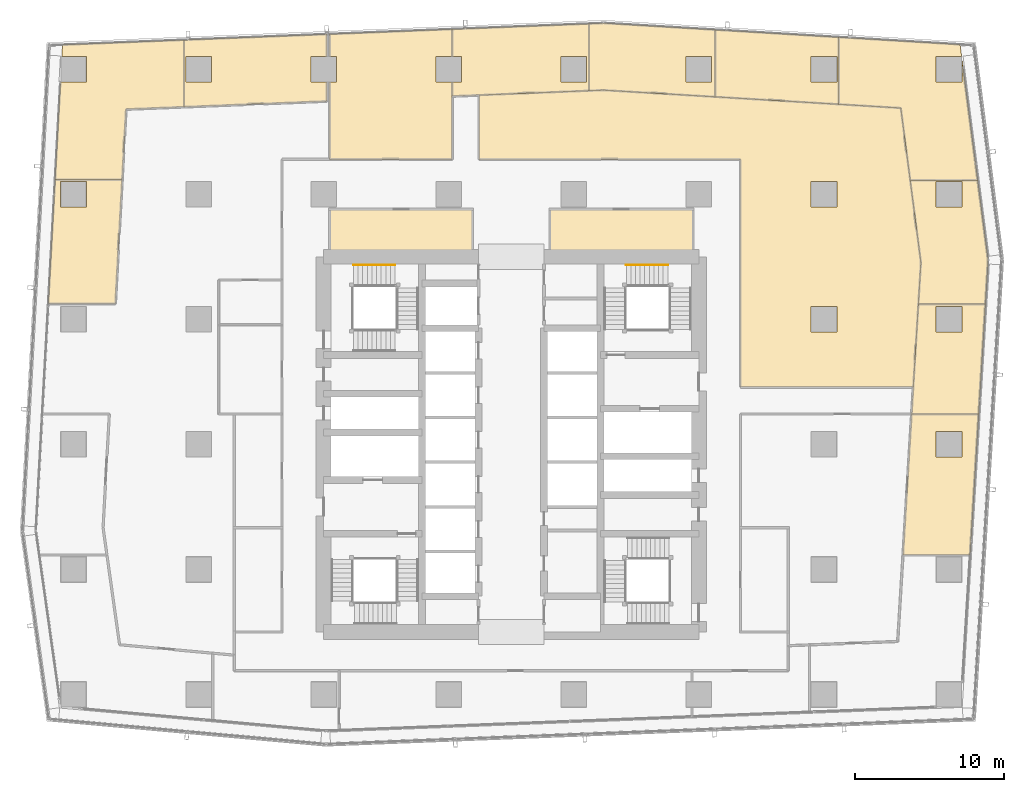
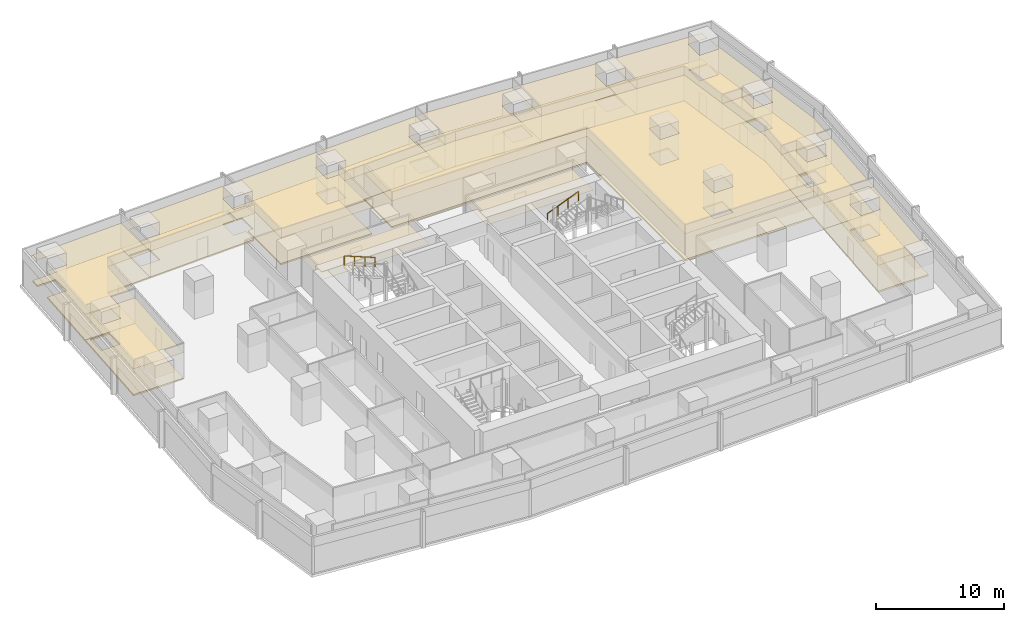
# One storey, part 40 of 40: 26 coverings, 2 railings.
"""IFC4 building model written with IfcOpenShell, lengths in metres."""

from ifc_helpers import new_model, si_unit, direction, frame, origin, origin_2d, place, context, subcontext, project, spatial, polyline, circle, outline, extrude, material, layer, layer_set, type_object, element, save


model = new_model("IFC4")

# Units and contexts
model_context = context("Model", 3, precision=1e-05, world=origin(), true_north=direction((0.0, 1.0)))
body_context = subcontext(model_context, "Body", "Model", "MODEL_VIEW")
ifc_project = project(units=[si_unit("LENGTHUNIT", "METRE"), si_unit("AREAUNIT", "SQUARE_METRE"), si_unit("VOLUMEUNIT", "CUBIC_METRE"), si_unit("PLANEANGLEUNIT", "RADIAN"), si_unit("MASSUNIT", "GRAM", prefix="KILO")], contexts=[model_context])

# Site, building, storey
site_placement = place(None, origin())
site = spatial("IfcSite", under=ifc_project, at=site_placement, CompositionType="ELEMENT")
building_placement = place(site_placement, origin())
building = spatial("IfcBuilding", under=site, at=building_placement, Name="Rekha Terrace Tower", CompositionType="ELEMENT")
storey_placement = place(building_placement, frame((0.0, 0.0, 110.300048828125)))
storey = spatial("IfcBuildingStorey", under=building, at=storey_placement, Name="L27", CompositionType="ELEMENT", Elevation=110.300048828125)

# Coverings
ifc_material_1 = material(Name="Mineral fibre tile in exposed grid", Category="finish")
ifc_layer_1 = layer(ifc_material_1, 0.02001953125)
ifc_layer_set_1 = layer_set([ifc_layer_1], Name="Mineral fibre tile in exposed grid")
covering_type_1 = type_object("IfcCoveringType", Name="CL1 600x1200 office grid ceiling", PredefinedType="CEILING", material=ifc_layer_set_1)
covering_1_placement = place(storey_placement, frame((0.0, 0.0, 2.579833984375)))
element("IfcCovering", 1, at=covering_1_placement, inside=storey, type_object=covering_type_1, Name="Ceiling L27-04", PredefinedType="CEILING", context=body_context, shape_type="SweptSolid", body=[
    extrude(outline(polyline([(64.114013671875, 26.1669921875), (68.623046875, 26.1669921875), (69.202880859375, 35.633056640625), (64.694091796875, 35.633056640625), (64.114013671875, 26.1669921875)]), holes=[polyline([(68.06494140625, 34.465087890625), (68.06494140625, 32.735107421875), (66.3349609375, 32.735107421875), (66.3349609375, 34.465087890625), (68.06494140625, 34.465087890625)])]), origin(), (0.0, 0.0, 1.0), 0.02001953125),
])
covering_2_placement = place(storey_placement, frame((0.0, 0.0, 2.579833984375)))
element("IfcCovering", 2, at=covering_2_placement, inside=storey, type_object=covering_type_1, Name="Ceiling L27-05", PredefinedType="CEILING", context=body_context, shape_type="SweptSolid", body=[
    extrude(outline(polyline([(69.655029296875, 43.011962890625), (65.14599609375, 43.011962890625), (64.7529296875, 36.589111328125), (64.694091796875, 35.634033203125), (69.202880859375, 35.634033203125), (69.655029296875, 43.011962890625)]), holes=[polyline([(68.06494140625, 41.135009765625), (66.3349609375, 41.135009765625), (66.3349609375, 42.864990234375), (68.06494140625, 42.864990234375), (68.06494140625, 41.135009765625)])]), origin(), (0.0, 0.0, 1.0), 0.02001953125),
])
covering_3_placement = place(storey_placement, frame((0.0, 0.0, 2.579833984375)))
element("IfcCovering", 3, at=covering_3_placement, inside=storey, type_object=covering_type_1, Name="Ceiling L27-06", PredefinedType="CEILING", context=body_context, shape_type="SweptSolid", body=[
    extrude(outline(polyline([(69.8359375, 45.971923828125), (69.136962890625, 51.337890625), (64.59912109375, 51.337890625), (65.318115234375, 45.818115234375), (65.14599609375, 43.012939453125), (69.655029296875, 43.012939453125), (69.8359375, 45.971923828125)]), holes=[polyline([(68.06494140625, 49.534912109375), (66.3349609375, 49.534912109375), (66.3349609375, 51.264892578125), (68.06494140625, 51.264892578125), (68.06494140625, 49.534912109375)])]), origin(), (0.0, 0.0, 1.0), 0.02001953125),
])
covering_4_placement = place(storey_placement, frame((0.0, 0.0, 2.579833984375)))
element("IfcCovering", 4, at=covering_4_placement, inside=storey, type_object=covering_type_1, Name="Ceiling L27-07", PredefinedType="CEILING", context=body_context, shape_type="SweptSolid", body=[
    extrude(outline(polyline([(67.948974609375, 60.462890625), (59.7880859375, 60.952880859375), (59.7880859375, 56.445068359375), (63.967041015625, 56.194091796875), (64.59912109375, 51.339111328125), (69.136962890625, 51.339111328125), (68.0849609375, 59.416015625), (68.06494140625, 59.4150390625), (68.06494140625, 57.93505859375), (66.3349609375, 57.93505859375), (66.3349609375, 59.6650390625), (68.052978515625, 59.6650390625), (67.948974609375, 60.462890625)])), origin(), (0.0, 0.0, 1.0), 0.02001953125),
])
covering_5_placement = place(storey_placement, frame((0.0, 0.0, 2.579833984375)))
element("IfcCovering", 5, at=covering_5_placement, inside=storey, type_object=covering_type_1, Name="Ceiling L27-08", PredefinedType="CEILING", context=body_context, shape_type="SweptSolid", body=[
    extrude(outline(polyline([(59.787109375, 56.445068359375), (59.787109375, 60.9541015625), (51.4951171875, 61.451904296875), (51.4951171875, 56.944091796875), (59.787109375, 56.445068359375)]), holes=[polyline([(59.6650390625, 57.93505859375), (57.93505859375, 57.93505859375), (57.93505859375, 59.6650390625), (59.6650390625, 59.6650390625), (59.6650390625, 57.93505859375)])]), origin(), (0.0, 0.0, 1.0), 0.02001953125),
])
covering_6_placement = place(storey_placement, frame((0.0, 0.0, 2.579833984375)))
element("IfcCovering", 6, at=covering_6_placement, inside=storey, type_object=covering_type_1, Name="Ceiling L27-09", PredefinedType="CEILING", context=body_context, shape_type="SweptSolid", body=[
    extrude(outline(polyline([(44.0380859375, 61.89990234375), (43.02392578125, 61.85888671875), (43.02392578125, 57.35595703125), (43.992919921875, 57.39501953125), (51.493896484375, 56.944091796875), (51.493896484375, 61.451904296875), (44.0380859375, 61.89990234375)]), holes=[polyline([(51.264892578125, 57.93505859375), (49.534912109375, 57.93505859375), (49.534912109375, 59.6650390625), (51.264892578125, 59.6650390625), (51.264892578125, 57.93505859375)])]), origin(), (0.0, 0.0, 1.0), 0.02001953125),
])
covering_7_placement = place(storey_placement, frame((0.0, 0.0, 2.579833984375)))
element("IfcCovering", 7, at=covering_7_placement, inside=storey, type_object=covering_type_1, Name="Ceiling L27-10", PredefinedType="CEILING", context=body_context, shape_type="SweptSolid", body=[
    extrude(outline(polyline([(34.465087890625, 57.93505859375), (33.827880859375, 57.93505859375), (33.827880859375, 56.987060546875), (34.60400390625, 57.01806640625), (43.02294921875, 57.35595703125), (43.02294921875, 61.85888671875), (33.827880859375, 61.490966796875), (33.827880859375, 59.6650390625), (34.465087890625, 59.6650390625), (34.465087890625, 57.93505859375)]), holes=[polyline([(42.864990234375, 57.93505859375), (41.135009765625, 57.93505859375), (41.135009765625, 59.6650390625), (42.864990234375, 59.6650390625), (42.864990234375, 57.93505859375)])]), origin(), (0.0, 0.0, 1.0), 0.02001953125),
])
covering_8_placement = place(storey_placement, frame((0.0, 0.0, 2.579833984375)))
element("IfcCovering", 8, at=covering_8_placement, inside=storey, type_object=covering_type_1, Name="Ceiling L27-12", PredefinedType="CEILING", context=body_context, shape_type="SweptSolid", body=[
    extrude(outline(polyline([(25.60009765625, 52.75), (33.825927734375, 52.75), (33.825927734375, 56.987060546875), (33.826904296875, 56.987060546875), (33.826904296875, 57.93505859375), (32.735107421875, 57.93505859375), (32.735107421875, 59.6650390625), (33.826904296875, 59.6650390625), (33.826904296875, 61.490966796875), (26.258056640625, 61.18798828125), (25.60009765625, 61.160888671875), (25.60009765625, 59.6650390625), (26.06494140625, 59.6650390625), (26.06494140625, 57.93505859375), (25.60009765625, 57.93505859375), (25.60009765625, 52.75)])), origin(), (0.0, 0.0, 1.0), 0.02001953125),
])
covering_9_placement = place(storey_placement, frame((0.0, 0.0, 2.579833984375)))
element("IfcCovering", 9, at=covering_9_placement, inside=storey, type_object=covering_type_1, Name="Ceiling L27-O1", PredefinedType="CEILING", context=body_context, shape_type="SweptSolid", body=[
    extrude(outline(polyline([(43.992919921875, 57.39501953125), (43.02392578125, 57.35595703125), (35.6259765625, 57.05908203125), (35.6259765625, 52.75), (53.199951171875, 52.75), (53.199951171875, 37.43701171875), (64.804931640625, 37.43701171875), (65.14599609375, 43.012939453125), (65.318115234375, 45.818115234375), (64.596923828125, 51.35498046875), (63.967041015625, 56.194091796875), (59.787109375, 56.445068359375), (51.493896484375, 56.944091796875), (43.992919921875, 57.39501953125)]), holes=[polyline([(59.6650390625, 41.135009765625), (57.93505859375, 41.135009765625), (57.93505859375, 42.864990234375), (59.6650390625, 42.864990234375), (59.6650390625, 41.135009765625)]), polyline([(59.6650390625, 49.534912109375), (57.93505859375, 49.534912109375), (57.93505859375, 51.264892578125), (59.6650390625, 51.264892578125), (59.6650390625, 49.534912109375)])]), origin(), (0.0, 0.0, 1.0), 0.02001953125),
])
covering_10_placement = place(storey_placement, frame((0.0, 0.0, 2.579833984375)))
element("IfcCovering", 10, at=covering_10_placement, inside=storey, type_object=covering_type_1, Name="Ceiling L27-13", PredefinedType="CEILING", context=body_context, shape_type="SweptSolid", body=[
    extrude(outline(polyline([(25.4130859375, 61.154052734375), (15.81494140625, 60.76904296875), (15.81494140625, 56.264892578125), (25.4130859375, 56.64990234375), (25.4130859375, 57.93505859375), (24.3349609375, 57.93505859375), (24.3349609375, 59.6650390625), (25.4130859375, 59.6650390625), (25.4130859375, 61.154052734375)]), holes=[polyline([(17.6650390625, 57.93505859375), (15.93505859375, 57.93505859375), (15.93505859375, 59.6650390625), (17.6650390625, 59.6650390625), (17.6650390625, 57.93505859375)])]), origin(), (0.0, 0.0, 1.0), 0.02001953125),
])
covering_11_placement = place(storey_placement, frame((0.0, 0.0, 2.579833984375)))
element("IfcCovering", 11, at=covering_11_placement, inside=storey, type_object=covering_type_1, Name="Ceiling L27-14", PredefinedType="CEILING", context=body_context, shape_type="SweptSolid", body=[
    extrude(outline(polyline([(7.51611328125, 57.93505859375), (7.156005859375, 51.37890625), (11.6630859375, 51.37890625), (11.922119140625, 56.10888671875), (15.81396484375, 56.264892578125), (15.81396484375, 60.76904296875), (7.653076171875, 60.44189453125), (7.610107421875, 59.6650390625), (9.264892578125, 59.6650390625), (9.264892578125, 57.93505859375), (7.51611328125, 57.93505859375)])), origin(), (0.0, 0.0, 1.0), 0.02001953125),
])
covering_12_placement = place(storey_placement, frame((0.0, 0.0, 2.579833984375)))
element("IfcCovering", 12, at=covering_12_placement, inside=storey, type_object=covering_type_1, Name="Ceiling L27-15", PredefinedType="CEILING", context=body_context, shape_type="SweptSolid", body=[
    extrude(outline(polyline([(11.6630859375, 51.3779296875), (7.156005859375, 51.3779296875), (6.698974609375, 43.0458984375), (11.2060546875, 43.0458984375), (11.6630859375, 51.3779296875)]), holes=[polyline([(9.264892578125, 51.264892578125), (9.264892578125, 49.534912109375), (7.534912109375, 49.534912109375), (7.534912109375, 51.264892578125), (9.264892578125, 51.264892578125)])]), origin(), (0.0, 0.0, 1.0), 0.02001953125),
])
ifc_material_2 = material(Name="Fibre cement board", Category="finish")
ifc_layer_2 = layer(ifc_material_2, 0.014892578125)
ifc_layer_set_2 = layer_set([ifc_layer_2], Name="Fibre cement board")
covering_type_2 = type_object("IfcCoveringType", Name="CL2 moisture-resistant board ceiling", PredefinedType="CEILING", material=ifc_layer_set_2)
covering_13_placement = place(storey_placement, frame((0.0, 0.0, 2.5849609375)))
element("IfcCovering", 13, at=covering_13_placement, inside=storey, type_object=covering_type_2, Name="Ceiling L27-WCF", PredefinedType="CEILING", context=body_context, shape_type="SweptSolid", body=[
    extrude(outline(polyline([(50.0, 49.39990234375), (40.39990234375, 49.39990234375), (40.39990234375, 46.199951171875), (50.0, 46.199951171875), (50.0, 49.39990234375)])), origin(), (0.0, 0.0, 1.0), 0.014892578125),
])
covering_14_placement = place(storey_placement, frame((0.0, 0.0, 2.5849609375)))
element("IfcCovering", 14, at=covering_14_placement, inside=storey, type_object=covering_type_2, Name="Ceiling L27-WCF2", PredefinedType="CEILING", context=body_context, shape_type="SweptSolid", body=[
    extrude(outline(polyline([(35.199951171875, 49.39990234375), (25.60009765625, 49.39990234375), (25.60009765625, 46.199951171875), (35.199951171875, 46.199951171875), (35.199951171875, 49.39990234375)])), origin(), (0.0, 0.0, 1.0), 0.014892578125),
])

# Railings
ifc_material_3 = material(Name="Stainless steel tube", Category="steel")
railing_type = type_object("IfcRailingType", Name="HR1 900 stair handrail", PredefinedType="HANDRAIL", material=ifc_material_3)
railing_1_placement = place(storey_placement, frame((45.52490234375, 45.639892578125, 1.375)))
element("IfcRailing", 15, at=railing_1_placement, inside=storey, type_object=railing_type, Name="Handrail ST2 L27 flight 2", PredefinedType="HANDRAIL", context=body_context, shape_type="SweptSolid", body=[
    extrude(circle(Radius=0.02392578125, at=origin_2d()), frame((0.0, 0.0, 0.8759765625), z_axis=(0.927443287984, 0.0, 0.373963831907), x_axis=(0.0, 1.0, 0.0)), (0.0, 0.0, 1.0), 3.00830078125),
    extrude(circle(Radius=0.02099609375, at=origin_2d()), origin(), (0.0, 0.0, 1.0), 0.851806640625),
    extrude(circle(Radius=0.02099609375, at=origin_2d()), frame((0.929931640625, 0.0, 0.375)), (0.0, 0.0, 1.0), 0.851806640625),
    extrude(circle(Radius=0.02099609375, at=origin_2d()), frame((1.860107421875, 0.0, 0.75)), (0.0, 0.0, 1.0), 0.851806640625),
    extrude(circle(Radius=0.02099609375, at=origin_2d()), frame((2.7900390625, 0.0, 1.125)), (0.0, 0.0, 1.0), 0.851806640625),
])
railing_2_placement = place(storey_placement, frame((29.989990234375, 45.639892578125, 2.625)))
element("IfcRailing", 16, at=railing_2_placement, inside=storey, type_object=railing_type, Name="Handrail ST4 L27 flight 3", PredefinedType="HANDRAIL", context=body_context, shape_type="SweptSolid", body=[
    extrude(circle(Radius=0.02392578125, at=origin_2d()), frame((0.0, 0.0, 0.8759765625), z_axis=(-0.927443287984, 0.0, 0.373963831907), x_axis=(0.0, -1.0, 0.0)), (0.0, 0.0, 1.0), 3.00830078125),
    extrude(circle(Radius=0.02099609375, at=origin_2d()), origin(), (0.0, 0.0, 1.0), 0.851806640625),
    extrude(circle(Radius=0.02099609375, at=origin_2d()), frame((-0.929931640625, 0.0, 0.375)), (0.0, 0.0, 1.0), 0.851806640625),
    extrude(circle(Radius=0.02099609375, at=origin_2d()), frame((-1.860107421875, 0.0, 0.75)), (0.0, 0.0, 1.0), 0.851806640625),
    extrude(circle(Radius=0.02099609375, at=origin_2d()), frame((-2.7900390625, 0.0, 1.125)), (0.0, 0.0, 1.0), 0.851806640625),
])

# Coverings
ifc_material_4 = material(Name="Calcium sulphate panels on steel pedestals", Category="steel")
ifc_layer_3 = layer(ifc_material_4, 0.14990234375)
ifc_layer_set_3 = layer_set([ifc_layer_3], Name="Calcium sulphate panels on steel pedestals")
covering_type_3 = type_object("IfcCoveringType", Name="RF1 150 raised access floor", PredefinedType="FLOORING", material=ifc_layer_set_3)
covering_15_placement = place(storey_placement, origin())
element("IfcCovering", 17, at=covering_15_placement, inside=storey, type_object=covering_type_3, Name="Raised floor L27-04", PredefinedType="FLOORING", context=body_context, shape_type="SweptSolid", body=[
    extrude(outline(polyline([(64.114013671875, 26.1669921875), (68.623046875, 26.1669921875), (69.202880859375, 35.633056640625), (64.694091796875, 35.633056640625), (64.114013671875, 26.1669921875)]), holes=[polyline([(68.06494140625, 34.465087890625), (68.06494140625, 32.735107421875), (66.3349609375, 32.735107421875), (66.3349609375, 34.465087890625), (68.06494140625, 34.465087890625)])]), origin(), (0.0, 0.0, 1.0), 0.14990234375),
])
covering_16_placement = place(storey_placement, origin())
element("IfcCovering", 18, at=covering_16_placement, inside=storey, type_object=covering_type_3, Name="Raised floor L27-05", PredefinedType="FLOORING", context=body_context, shape_type="SweptSolid", body=[
    extrude(outline(polyline([(69.655029296875, 43.011962890625), (65.14599609375, 43.011962890625), (64.7529296875, 36.589111328125), (64.694091796875, 35.634033203125), (69.202880859375, 35.634033203125), (69.655029296875, 43.011962890625)]), holes=[polyline([(68.06494140625, 41.135009765625), (66.3349609375, 41.135009765625), (66.3349609375, 42.864990234375), (68.06494140625, 42.864990234375), (68.06494140625, 41.135009765625)])]), origin(), (0.0, 0.0, 1.0), 0.14990234375),
])
covering_17_placement = place(storey_placement, origin())
element("IfcCovering", 19, at=covering_17_placement, inside=storey, type_object=covering_type_3, Name="Raised floor L27-06", PredefinedType="FLOORING", context=body_context, shape_type="SweptSolid", body=[
    extrude(outline(polyline([(69.8359375, 45.971923828125), (69.136962890625, 51.337890625), (64.59912109375, 51.337890625), (65.318115234375, 45.818115234375), (65.14599609375, 43.012939453125), (69.655029296875, 43.012939453125), (69.8359375, 45.971923828125)]), holes=[polyline([(68.06494140625, 49.534912109375), (66.3349609375, 49.534912109375), (66.3349609375, 51.264892578125), (68.06494140625, 51.264892578125), (68.06494140625, 49.534912109375)])]), origin(), (0.0, 0.0, 1.0), 0.14990234375),
])
covering_18_placement = place(storey_placement, origin())
element("IfcCovering", 20, at=covering_18_placement, inside=storey, type_object=covering_type_3, Name="Raised floor L27-07", PredefinedType="FLOORING", context=body_context, shape_type="SweptSolid", body=[
    extrude(outline(polyline([(67.948974609375, 60.462890625), (59.7880859375, 60.952880859375), (59.7880859375, 56.445068359375), (63.967041015625, 56.194091796875), (64.59912109375, 51.339111328125), (69.136962890625, 51.339111328125), (68.0849609375, 59.416015625), (68.06494140625, 59.4150390625), (68.06494140625, 57.93505859375), (66.3349609375, 57.93505859375), (66.3349609375, 59.6650390625), (68.052978515625, 59.6650390625), (67.948974609375, 60.462890625)])), origin(), (0.0, 0.0, 1.0), 0.14990234375),
])
covering_19_placement = place(storey_placement, origin())
element("IfcCovering", 21, at=covering_19_placement, inside=storey, type_object=covering_type_3, Name="Raised floor L27-08", PredefinedType="FLOORING", context=body_context, shape_type="SweptSolid", body=[
    extrude(outline(polyline([(59.787109375, 56.445068359375), (59.787109375, 60.9541015625), (51.4951171875, 61.451904296875), (51.4951171875, 56.944091796875), (59.787109375, 56.445068359375)]), holes=[polyline([(59.6650390625, 57.93505859375), (57.93505859375, 57.93505859375), (57.93505859375, 59.6650390625), (59.6650390625, 59.6650390625), (59.6650390625, 57.93505859375)])]), origin(), (0.0, 0.0, 1.0), 0.14990234375),
])
covering_20_placement = place(storey_placement, origin())
element("IfcCovering", 22, at=covering_20_placement, inside=storey, type_object=covering_type_3, Name="Raised floor L27-09", PredefinedType="FLOORING", context=body_context, shape_type="SweptSolid", body=[
    extrude(outline(polyline([(44.0380859375, 61.89990234375), (43.02392578125, 61.85888671875), (43.02392578125, 57.35595703125), (43.992919921875, 57.39501953125), (51.493896484375, 56.944091796875), (51.493896484375, 61.451904296875), (44.0380859375, 61.89990234375)]), holes=[polyline([(51.264892578125, 57.93505859375), (49.534912109375, 57.93505859375), (49.534912109375, 59.6650390625), (51.264892578125, 59.6650390625), (51.264892578125, 57.93505859375)])]), origin(), (0.0, 0.0, 1.0), 0.14990234375),
])
covering_21_placement = place(storey_placement, origin())
element("IfcCovering", 23, at=covering_21_placement, inside=storey, type_object=covering_type_3, Name="Raised floor L27-10", PredefinedType="FLOORING", context=body_context, shape_type="SweptSolid", body=[
    extrude(outline(polyline([(34.465087890625, 57.93505859375), (33.827880859375, 57.93505859375), (33.827880859375, 56.987060546875), (34.60400390625, 57.01806640625), (43.02294921875, 57.35595703125), (43.02294921875, 61.85888671875), (33.827880859375, 61.490966796875), (33.827880859375, 59.6650390625), (34.465087890625, 59.6650390625), (34.465087890625, 57.93505859375)]), holes=[polyline([(42.864990234375, 57.93505859375), (41.135009765625, 57.93505859375), (41.135009765625, 59.6650390625), (42.864990234375, 59.6650390625), (42.864990234375, 57.93505859375)])]), origin(), (0.0, 0.0, 1.0), 0.14990234375),
])
covering_22_placement = place(storey_placement, origin())
element("IfcCovering", 24, at=covering_22_placement, inside=storey, type_object=covering_type_3, Name="Raised floor L27-12", PredefinedType="FLOORING", context=body_context, shape_type="SweptSolid", body=[
    extrude(outline(polyline([(25.60009765625, 52.75), (33.825927734375, 52.75), (33.825927734375, 56.987060546875), (33.826904296875, 56.987060546875), (33.826904296875, 57.93505859375), (32.735107421875, 57.93505859375), (32.735107421875, 59.6650390625), (33.826904296875, 59.6650390625), (33.826904296875, 61.490966796875), (26.258056640625, 61.18798828125), (25.60009765625, 61.160888671875), (25.60009765625, 59.6650390625), (26.06494140625, 59.6650390625), (26.06494140625, 57.93505859375), (25.60009765625, 57.93505859375), (25.60009765625, 52.75)])), origin(), (0.0, 0.0, 1.0), 0.14990234375),
])
covering_23_placement = place(storey_placement, origin())
element("IfcCovering", 25, at=covering_23_placement, inside=storey, type_object=covering_type_3, Name="Raised floor L27-O1", PredefinedType="FLOORING", context=body_context, shape_type="SweptSolid", body=[
    extrude(outline(polyline([(43.992919921875, 57.39501953125), (43.02392578125, 57.35595703125), (35.6259765625, 57.05908203125), (35.6259765625, 52.75), (53.199951171875, 52.75), (53.199951171875, 37.43701171875), (64.804931640625, 37.43701171875), (65.14599609375, 43.012939453125), (65.318115234375, 45.818115234375), (64.596923828125, 51.35498046875), (63.967041015625, 56.194091796875), (59.787109375, 56.445068359375), (51.493896484375, 56.944091796875), (43.992919921875, 57.39501953125)]), holes=[polyline([(59.6650390625, 41.135009765625), (57.93505859375, 41.135009765625), (57.93505859375, 42.864990234375), (59.6650390625, 42.864990234375), (59.6650390625, 41.135009765625)]), polyline([(59.6650390625, 49.534912109375), (57.93505859375, 49.534912109375), (57.93505859375, 51.264892578125), (59.6650390625, 51.264892578125), (59.6650390625, 49.534912109375)])]), origin(), (0.0, 0.0, 1.0), 0.14990234375),
])
covering_24_placement = place(storey_placement, origin())
element("IfcCovering", 26, at=covering_24_placement, inside=storey, type_object=covering_type_3, Name="Raised floor L27-13", PredefinedType="FLOORING", context=body_context, shape_type="SweptSolid", body=[
    extrude(outline(polyline([(25.4130859375, 61.154052734375), (15.81494140625, 60.76904296875), (15.81494140625, 56.264892578125), (25.4130859375, 56.64990234375), (25.4130859375, 57.93505859375), (24.3349609375, 57.93505859375), (24.3349609375, 59.6650390625), (25.4130859375, 59.6650390625), (25.4130859375, 61.154052734375)]), holes=[polyline([(17.6650390625, 57.93505859375), (15.93505859375, 57.93505859375), (15.93505859375, 59.6650390625), (17.6650390625, 59.6650390625), (17.6650390625, 57.93505859375)])]), origin(), (0.0, 0.0, 1.0), 0.14990234375),
])
covering_25_placement = place(storey_placement, origin())
element("IfcCovering", 27, at=covering_25_placement, inside=storey, type_object=covering_type_3, Name="Raised floor L27-14", PredefinedType="FLOORING", context=body_context, shape_type="SweptSolid", body=[
    extrude(outline(polyline([(7.51611328125, 57.93505859375), (7.156005859375, 51.37890625), (11.6630859375, 51.37890625), (11.922119140625, 56.10888671875), (15.81396484375, 56.264892578125), (15.81396484375, 60.76904296875), (7.653076171875, 60.44189453125), (7.610107421875, 59.6650390625), (9.264892578125, 59.6650390625), (9.264892578125, 57.93505859375), (7.51611328125, 57.93505859375)])), origin(), (0.0, 0.0, 1.0), 0.14990234375),
])
covering_26_placement = place(storey_placement, origin())
element("IfcCovering", 28, at=covering_26_placement, inside=storey, type_object=covering_type_3, Name="Raised floor L27-15", PredefinedType="FLOORING", context=body_context, shape_type="SweptSolid", body=[
    extrude(outline(polyline([(11.6630859375, 51.3779296875), (7.156005859375, 51.3779296875), (6.698974609375, 43.0458984375), (11.2060546875, 43.0458984375), (11.6630859375, 51.3779296875)]), holes=[polyline([(9.264892578125, 51.264892578125), (9.264892578125, 49.534912109375), (7.534912109375, 49.534912109375), (7.534912109375, 51.264892578125), (9.264892578125, 51.264892578125)])]), origin(), (0.0, 0.0, 1.0), 0.14990234375),
])

save(model, "model.ifc")
